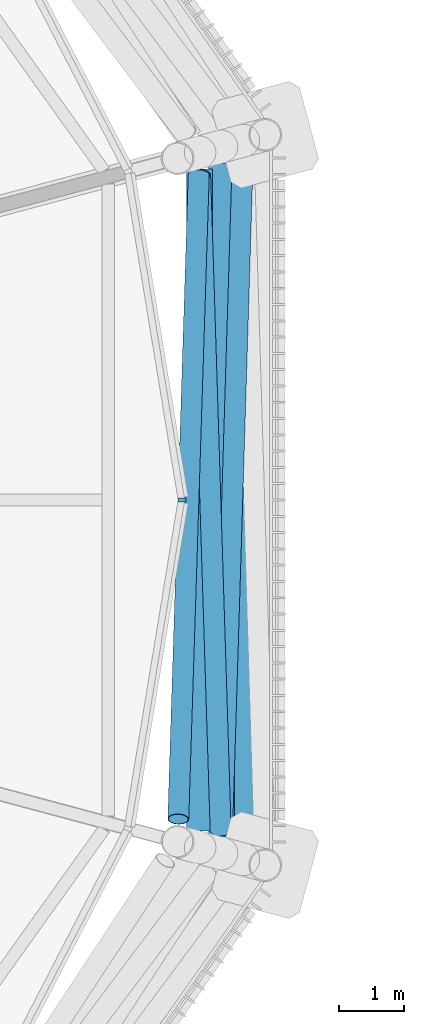
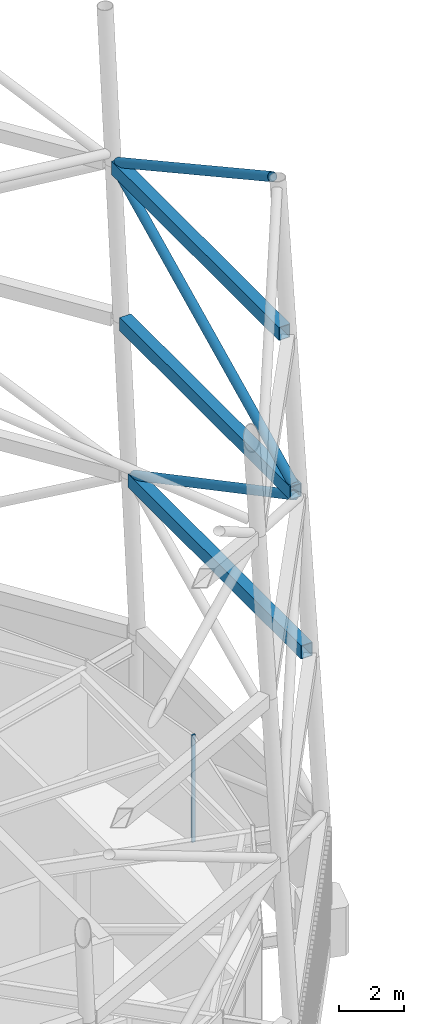
# One storey, part 23 of 71: 4 members, 3 beams, 1 element without a shape of its own.
"""IFC4 building model written with IfcOpenShell, lengths in metres."""

from ifc_helpers import new_model, si_unit, direction, frame, origin, origin_2d, place, context, subcontext, project, spatial, rectangle, hollow_rectangle, hollow_circle, extrude, material, material_profile, profile_set, type_object, element, aggregate, save


model = new_model("IFC4")

# Units and contexts
model_context = context("Model", 3, precision=1e-05, world=origin(), true_north=direction((0.0, 1.0)))
body_context = subcontext(model_context, "Body", "Model", "MODEL_VIEW")
ifc_project = project(units=[si_unit("LENGTHUNIT", "METRE"), si_unit("AREAUNIT", "SQUARE_METRE"), si_unit("VOLUMEUNIT", "CUBIC_METRE"), si_unit("PLANEANGLEUNIT", "RADIAN"), si_unit("MASSUNIT", "GRAM", prefix="KILO")], contexts=[model_context])

# Site, building, storey
site_placement = place(None, origin())
site = spatial("IfcSite", under=ifc_project, at=site_placement, CompositionType="ELEMENT")
building_placement = place(site_placement, origin())
building = spatial("IfcBuilding", under=site, at=building_placement, Name="Rimbun Link Towers", CompositionType="ELEMENT")
storey_placement = place(building_placement, frame((0.0, 0.0, 267.60009765625)))
storey = spatial("IfcBuildingStorey", under=building, at=storey_placement, Name="L65", CompositionType="ELEMENT", Elevation=267.60009765625)

# Curtain wall, member
ifc_material_1 = material(Name="Aluminium 6063-T6 louvre wall", Category="aluminium")
curtain_wall_type = type_object("IfcCurtainWallType", Name="CW6 plant floor louvre wall", PredefinedType="NOTDEFINED", material=ifc_material_1)
curtain_wall_placement = place(storey_placement, origin())
curtain_wall = element("IfcCurtainWall", 1, at=curtain_wall_placement, inside=storey, type_object=curtain_wall_type, Name="CW6 L65 T1", PredefinedType="NOTDEFINED")
ifc_material_2 = material(Name="Aluminium 6063-T6", Category="aluminium")
ifc_material_profile_1 = material_profile(ifc_material_2, rectangle(XDim=0.1201171875, YDim=0.06005859375, at=origin_2d()), Name="MULLION 60X120")
ifc_profile_set_1 = profile_set([ifc_material_profile_1], Name="Aluminium 6063-T6")
member_type_1 = type_object("IfcMemberType", Name="CW6 mullion 60X120", PredefinedType="MULLION", material=ifc_profile_set_1)
member_1_placement = place(storey_placement, frame((-12.005615234375, 0.0, 0.0), z_axis=(0.0, 0.0, 1.0), x_axis=(1.0, 0.0, 0.0)))
member_1 = element("IfcMember", 2, at=member_1_placement, type_object=member_type_1, Name="CW6 mullion", PredefinedType="MULLION", context=body_context, shape_type="SweptSolid", body=[
    extrude(rectangle(XDim=0.1201171875, YDim=0.06005859375, at=origin_2d()), origin(), (0.0, 0.0, 1.0), 4.0),
])
aggregate(curtain_wall, [member_1])

# Members
ifc_material_3 = material(Name="Steel S355J2H", Category="steel")
ifc_material_profile_2 = material_profile(ifc_material_3, hollow_circle(Radius=0.161865234375, WallThickness=0.011962890625, at=origin_2d()), Name="Crown frame brace CHS 324x12")
ifc_profile_set_2 = profile_set([ifc_material_profile_2], Name="Steel S355J2H")
member_type_2 = type_object("IfcMemberType", Name="Crown frame brace CHS 324x12", PredefinedType="BRACE", material=ifc_profile_set_2)
member_2_placement = place(storey_placement, frame((-11.072021484375, 5.192626953125, 10.19140625), z_axis=(-0.026949619208, -0.877517060352, 0.47878755917), x_axis=(0.999528743826, -0.030696746822, 0.0)))
element("IfcMember", 3, at=member_2_placement, inside=storey, type_object=member_type_2, Name="CROWN FRAME brace T1 3-11", PredefinedType="BRACE", context=body_context, shape_type="SweptSolid", body=[
    extrude(hollow_circle(Radius=0.161865234375, WallThickness=0.011962890625, at=origin_2d()), origin(), (0.0, 0.0, 1.0), 11.731689453125),
])
member_3_placement = place(storey_placement, frame((-11.409912109375, -5.103515625, 16.19384765625), z_axis=(-0.027340166654, 0.874125883842, 0.484929329372), x_axis=(-0.999511228514, -0.031261862925, 0.0)))
element("IfcMember", 4, at=member_3_placement, inside=storey, type_object=member_type_2, Name="CROWN FRAME brace T1 4-11", PredefinedType="BRACE", context=body_context, shape_type="SweptSolid", body=[
    extrude(hollow_circle(Radius=0.161865234375, WallThickness=0.011962890625, at=origin_2d()), origin(), (0.0, 0.0, 1.0), 11.572998046875),
])
member_4_placement = place(storey_placement, frame((-11.748291015625, 5.01416015625, 22.1962890625), z_axis=(-0.027676029118, -0.870597191057, 0.491217434885), x_axis=(0.999495089942, -0.031773655482, 0.0)))
element("IfcMember", 5, at=member_4_placement, inside=storey, type_object=member_type_2, Name="CROWN FRAME brace T1 5-11", PredefinedType="BRACE", context=body_context, shape_type="SweptSolid", body=[
    extrude(hollow_circle(Radius=0.161865234375, WallThickness=0.011962890625, at=origin_2d()), origin(), (0.0, 0.0, 1.0), 11.414794921875),
])

# Beams
ifc_material_4 = material(Name="Steel S355J2", Category="steel")
ifc_material_profile_3 = material_profile(ifc_material_4, hollow_rectangle(XDim=0.39990234375, YDim=0.5, WallThickness=0.02001953125, at=origin_2d()), Name="Crown frame ring beam BOX 400x500x20")
ifc_profile_set_3 = profile_set([ifc_material_profile_3], Name="Steel S355J2")
beam_type = type_object("IfcBeamType", Name="Crown frame ring beam BOX 400x500x20", PredefinedType="BEAM", material=ifc_profile_set_3)
beam_1_placement = place(storey_placement, frame((-11.06103515625, -5.28955078125, 10.0), z_axis=(0.0, 1.0, 0.0), x_axis=(-1.0, 0.0, 0.0)))
element("IfcBeam", 6, at=beam_1_placement, inside=storey, type_object=beam_type, Name="CROWN FRAME ring beam T1 2-11", PredefinedType="BEAM", context=body_context, shape_type="SweptSolid", body=[
    extrude(hollow_rectangle(XDim=0.39990234375, YDim=0.5, WallThickness=0.02001953125, at=origin_2d()), origin(), (0.0, 0.0, 1.0), 10.5791015625),
])
beam_2_placement = place(storey_placement, frame((-11.399169921875, -5.198974609375, 16.0), z_axis=(0.0, 1.0, 0.0), x_axis=(-1.0, 0.0, 0.0)))
element("IfcBeam", 7, at=beam_2_placement, inside=storey, type_object=beam_type, Name="CROWN FRAME ring beam T1 3-11", PredefinedType="BEAM", context=body_context, shape_type="SweptSolid", body=[
    extrude(hollow_rectangle(XDim=0.39990234375, YDim=0.5, WallThickness=0.02001953125, at=origin_2d()), origin(), (0.0, 0.0, 1.0), 10.39794921875),
])
beam_3_placement = place(storey_placement, frame((-11.7373046875, -5.1083984375, 22.0), z_axis=(0.0, 1.0, 0.0), x_axis=(-1.0, 0.0, 0.0)))
element("IfcBeam", 8, at=beam_3_placement, inside=storey, type_object=beam_type, Name="CROWN FRAME ring beam T1 4-11", PredefinedType="BEAM", context=body_context, shape_type="SweptSolid", body=[
    extrude(hollow_rectangle(XDim=0.39990234375, YDim=0.5, WallThickness=0.02001953125, at=origin_2d()), origin(), (0.0, 0.0, 1.0), 10.216796875),
])

save(model, "model.ifc")
